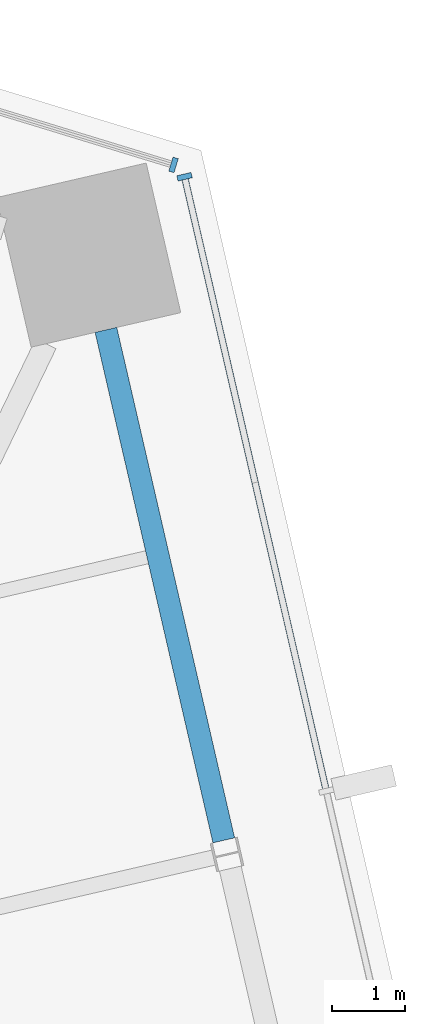
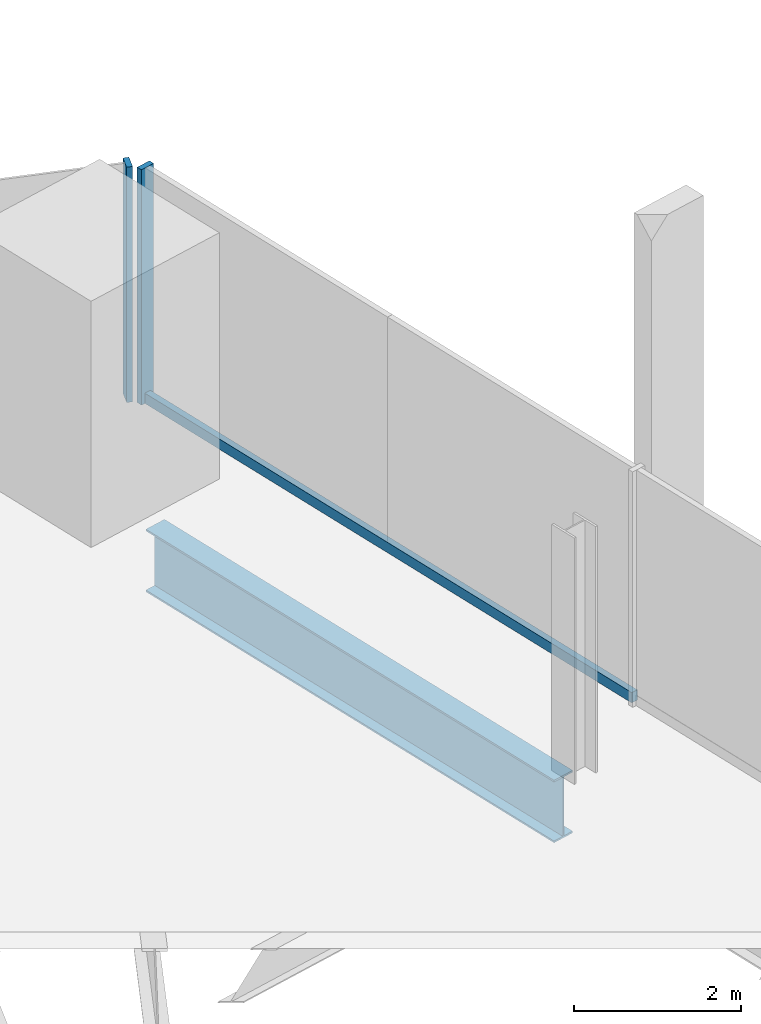
# One storey, part 10 of 23: 3 members, 1 beam, 2 elements without a shape of their own.
"""IFC4 building model written with IfcOpenShell, lengths in metres."""

from ifc_helpers import new_model, si_unit, direction, frame, origin, origin_2d, place, context, subcontext, project, spatial, rectangle, i_section, extrude, source, transform, mapped, material, material_profile, profile_set, type_object, element, aggregate, save


model = new_model("IFC4")

# Units and contexts
model_context = context("Model", 3, precision=1e-05, world=origin(), true_north=direction((0.0, 1.0)))
body_context = subcontext(model_context, "Body", "Model", "MODEL_VIEW")
ifc_project = project(units=[si_unit("LENGTHUNIT", "METRE"), si_unit("AREAUNIT", "SQUARE_METRE"), si_unit("VOLUMEUNIT", "CUBIC_METRE"), si_unit("PLANEANGLEUNIT", "RADIAN"), si_unit("MASSUNIT", "GRAM", prefix="KILO")], contexts=[model_context])

# Site, building, storey
site_placement = place(None, origin())
site = spatial("IfcSite", under=ifc_project, at=site_placement, CompositionType="ELEMENT")
building_placement = place(site_placement, origin())
building = spatial("IfcBuilding", under=site, at=building_placement, Name="Triune Harvest Tower", CompositionType="ELEMENT")
storey_placement = place(building_placement, frame((0.0, 0.0, 105.5)))
storey = spatial("IfcBuildingStorey", under=building, at=storey_placement, Name="L26", CompositionType="ELEMENT", Elevation=105.5)

# Curtain wall, member
ifc_material_1 = material(Name="Aluminium bronze anodised", Category="aluminium")
curtain_wall_type_1 = type_object("IfcCurtainWallType", Name="CW-10 Balcony window wall with insulated spandrel infill", PredefinedType="NOTDEFINED", material=ifc_material_1)
curtain_wall_1_placement = place(storey_placement, origin())
curtain_wall_1 = element("IfcCurtainWall", 1, at=curtain_wall_1_placement, inside=storey, type_object=curtain_wall_type_1, Name="CW-10 B3-F1 L26 run 2")
ifc_material_2 = material(Name="Aluminium bronze anodised", Category="aluminium")
ifc_material_profile_1 = material_profile(ifc_material_2, rectangle(XDim=0.090087890625, YDim=0.14990234375, at=origin_2d()), Name="TR-6 transom 90 x 150")
ifc_profile_set_1 = profile_set([ifc_material_profile_1], Name="Aluminium bronze anodised")
member_type_1 = type_object("IfcMemberType", Name="TR-6 transom 90 x 150", PredefinedType="USERDEFINED", material=ifc_profile_set_1)
member_1_placement = place(storey_placement, frame((17.544189453125, 21.9140625, 0.074951171875), z_axis=(-0.224945016981, 0.974371458601, 0.0), x_axis=(-0.974371458601, -0.224945016981, 0.0)))
member_1 = element("IfcMember", 2, at=member_1_placement, type_object=member_type_1, Name="CW-10 transom B3-F1 2.2", ObjectType="TRANSOM", PredefinedType="USERDEFINED", context=body_context, shape_type="SweptSolid", body=[
    extrude(rectangle(XDim=0.090087890625, YDim=0.14990234375, at=origin_2d()), origin(), (0.0, 0.0, 1.0), 8.549072265625),
])

# Beam
ifc_material_3 = material(Name="Steel ASTM A992 Gr 50", Category="steel")
ifc_material_profile_2 = material_profile(ifc_material_3, i_section(OverallWidth=0.3046875, OverallDepth=0.914306640625, WebThickness=0.0166015625, FlangeThickness=0.02587890625, at=origin_2d()), Name="W36x160")
ifc_profile_set_2 = profile_set([ifc_material_profile_2], Name="Steel ASTM A992 Gr 50")
beam_type = type_object("IfcBeamType", Name="SB-1 Spandrel beam W36x160", PredefinedType="SPANDREL", material=ifc_profile_set_2)
shared_shape_1 = source(origin(), body_context, "Body", "SweptSolid", [
    extrude(i_section(OverallWidth=0.3046875, OverallDepth=0.914306640625, WebThickness=0.0166015625, FlangeThickness=0.02587890625, at=origin_2d()), origin(), (0.0, 0.0, 1.0), 7.16650390625),
])
beam_placement = place(storey_placement, frame((16.14990234375, 21.203369140625, -0.6171875), z_axis=(-0.224981420466, 0.974363053715, 0.0), x_axis=(-0.974363053715, -0.224981420466, 0.0)))
element("IfcBeam", 3, at=beam_placement, inside=storey, type_object=beam_type, Name="beam/L26/SB6", PredefinedType="SPANDREL", context=body_context, shape_type="MappedRepresentation", body=[
    mapped(shared_shape_1, transform((0.0, 0.0, 0.0), scale=1.0)),
])

# Curtain wall, member
ifc_material_4 = material(Name="Aluminium bronze anodised", Category="aluminium")
curtain_wall_type_2 = type_object("IfcCurtainWallType", Name="CW-1 Tower stick curtain wall", PredefinedType="NOTDEFINED", material=ifc_material_4)
curtain_wall_2_placement = place(storey_placement, origin())
curtain_wall_2 = element("IfcCurtainWall", 4, at=curtain_wall_2_placement, inside=storey, type_object=curtain_wall_type_2, Name="CW-1 B3-F2 L26 run 1")
ifc_material_5 = material(Name="Aluminium bronze anodised", Category="aluminium")
ifc_material_profile_3 = material_profile(ifc_material_5, rectangle(XDim=0.199951171875, YDim=0.074951171875, at=origin_2d()), Name="MU-1 mullion 75 x 200")
ifc_profile_set_3 = profile_set([ifc_material_profile_3], Name="Aluminium bronze anodised")
member_type_2 = type_object("IfcMemberType", Name="MU-1 mullion 75 x 200", PredefinedType="MULLION", material=ifc_profile_set_3)
shared_shape_2 = source(origin(), body_context, "Body", "SweptSolid", [
    extrude(rectangle(XDim=0.199951171875, YDim=0.074951171875, at=origin_2d()), origin(), (0.0, 0.0, 1.0), 3.43994140625),
])
member_2_placement = place(storey_placement, frame((15.462158203125, 30.4423828125, 0.0), z_axis=(0.0, 0.0, 1.0), x_axis=(-0.292376962095, -0.956303148607, 0.0)))
member_2 = element("IfcMember", 5, at=member_2_placement, type_object=member_type_2, Name="CW-1 mullion B3-F2 1.1", PredefinedType="MULLION", context=body_context, shape_type="MappedRepresentation", body=[
    mapped(shared_shape_2, transform((0.0, 0.0, 0.0), scale=1.0)),
])
aggregate(curtain_wall_2, [member_2])

# Member
ifc_material_6 = material(Name="Aluminium bronze anodised", Category="aluminium")
ifc_material_profile_4 = material_profile(ifc_material_6, rectangle(XDim=0.199951171875, YDim=0.074951171875, at=origin_2d()), Name="MU-6 mullion 75 x 200")
ifc_profile_set_4 = profile_set([ifc_material_profile_4], Name="Aluminium bronze anodised")
member_type_3 = type_object("IfcMemberType", Name="MU-6 mullion 75 x 200", PredefinedType="MULLION", material=ifc_profile_set_4)
shared_shape_3 = source(origin(), body_context, "Body", "SweptSolid", [
    extrude(rectangle(XDim=0.199951171875, YDim=0.074951171875, at=origin_2d()), origin(), (0.0, 0.0, 1.0), 3.43994140625),
])
member_3_placement = place(storey_placement, frame((15.61279296875, 30.28076171875, 0.0), z_axis=(0.0, 0.0, 1.0), x_axis=(-0.974370027263, -0.22495121687, 0.0)))
member_3 = element("IfcMember", 6, at=member_3_placement, type_object=member_type_3, Name="CW-10 mullion B3-F1 2.5", PredefinedType="MULLION", context=body_context, shape_type="MappedRepresentation", body=[
    mapped(shared_shape_3, transform((0.0, 0.0, 0.0), scale=1.0)),
])

aggregate(curtain_wall_1, [member_3, member_1])

save(model, "model.ifc")
